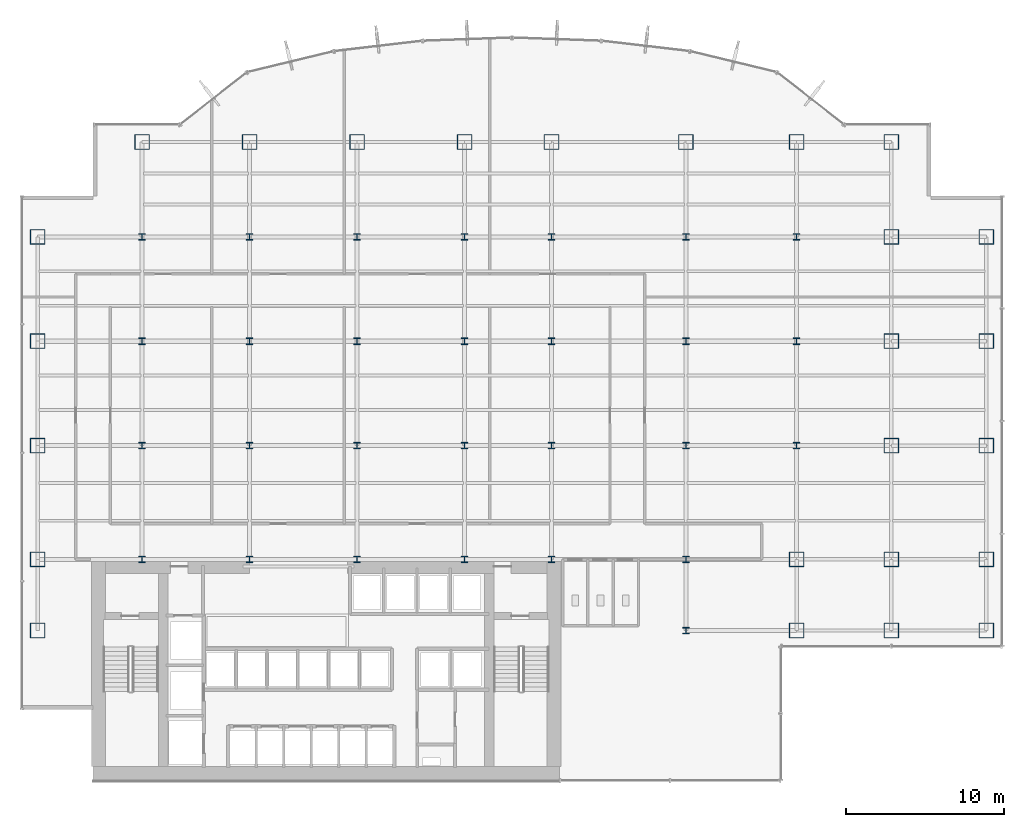
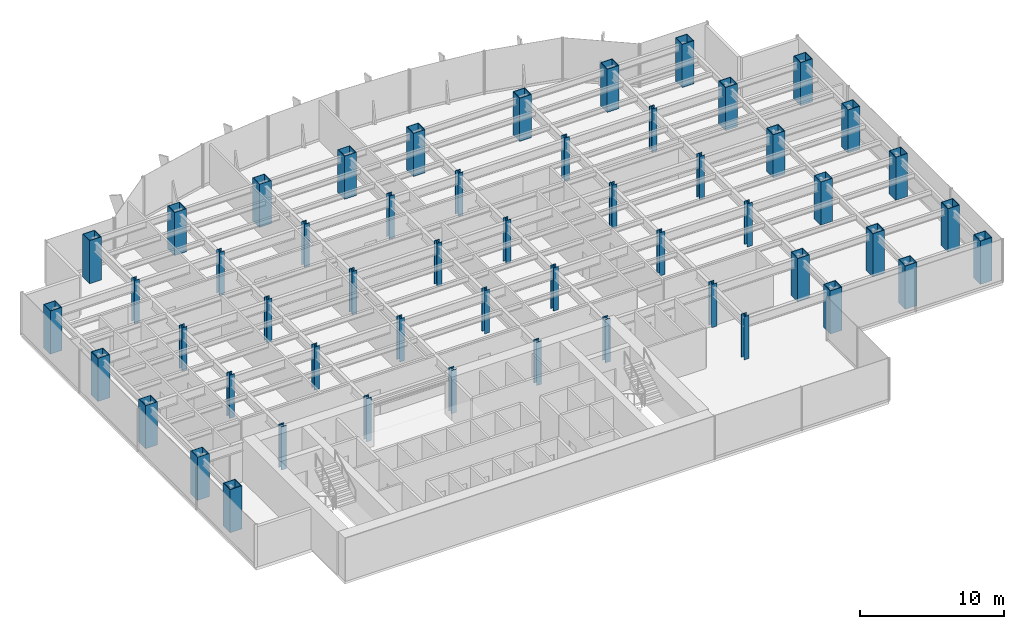
# One storey, part 1 of 22: 53 columns.
"""IFC4 building model written with IfcOpenShell, lengths in metres."""

from ifc_helpers import new_model, si_unit, derived_unit, direction, frame, origin, origin_2d, place, context, subcontext, project, spatial, hollow_rectangle, i_section, extrude, source, transform, mapped, material, material_profile, profile_set, type_object, element, save


model = new_model("IFC4")

# Units and contexts
model_context = context("Model", 3, precision=1e-05, world=origin(), true_north=direction((0.0, 1.0)))
body_context = subcontext(model_context, "Body", "Model", "MODEL_VIEW")
ifc_project = project(units=[si_unit("LENGTHUNIT", "METRE"), si_unit("AREAUNIT", "SQUARE_METRE"), si_unit("VOLUMEUNIT", "CUBIC_METRE"), si_unit("PLANEANGLEUNIT", "RADIAN"), si_unit("MASSUNIT", "GRAM", prefix="KILO"), derived_unit("THERMALTRANSMITTANCEUNIT", [(si_unit("POWERUNIT", "WATT"), 1), (si_unit("LENGTHUNIT", "METRE"), -2), (si_unit("THERMODYNAMICTEMPERATUREUNIT", "KELVIN"), -1)])], contexts=[model_context])

# Site, building, storey
site_placement = place(None, origin())
site = spatial("IfcSite", under=ifc_project, at=site_placement, CompositionType="ELEMENT")
building_placement = place(site_placement, origin())
building = spatial("IfcBuilding", under=site, at=building_placement, Name="Skarnbrae Concourse Arena and Tower", CompositionType="ELEMENT")
storey_placement = place(building_placement, frame((0.0, 0.0, 65.35009765625)))
storey = spatial("IfcBuildingStorey", under=building, at=storey_placement, Name="L15", CompositionType="ELEMENT", Elevation=65.35009765625)

# Columns
ifc_material = material(Name="Steel CSA G40.21 350W", Category="steel")
ifc_material_profile_1 = material_profile(ifc_material, hollow_rectangle(XDim=0.949951171875, YDim=0.949951171875, WallThickness=0.044921875, at=origin_2d()), Name="BOX950X950X45")
ifc_profile_set_1 = profile_set([ifc_material_profile_1], Name="Steel CSA G40.21 350W")
column_type_1 = type_object("IfcColumnType", Name="COL-TUBE-BOX950", PredefinedType="COLUMN", material=ifc_profile_set_1)
shared_shape_1 = source(origin(), body_context, "Body", "SweptSolid", [
    extrude(hollow_rectangle(XDim=0.949951171875, YDim=0.949951171875, WallThickness=0.044921875, at=origin_2d()), origin(), (0.0, 0.0, 1.0), 3.64990234375),
])
for number, where, z_axis, x_axis, name in (
    (1, (1.0, 9.5, 0.0), (0.0, 0.0, 1.0), (1.0, 0.0, 0.0), "L15 Tower column PC_01_01"),
    (2, (1.0, 14.0, 0.0), (0.0, 0.0, 1.0), (1.0, 0.0, 0.0), "L15 Tower column PC_01_02"),
    (3, (1.0, 21.199951171875, 0.0), (0.0, 0.0, 1.0), (1.0, 0.0, 0.0), "L15 Tower column PC_01_03"),
    (4, (1.0, 27.800048828125, 0.0), (0.0, 0.0, 1.0), (1.0, 0.0, 0.0), "L15 Tower column PC_01_04"),
    (5, (1.0, 34.39990234375, 0.0), (0.0, 0.0, 1.0), (1.0, 0.0, 0.0), "L15 Tower column PC_01_05"),
    (6, (7.60009765625, 40.39990234375, 0.0), (0.0, 0.0, 1.0), (1.0, 0.0, 0.0), "L15 Tower column PC_02_06"),
    (7, (14.39990234375, 40.39990234375, 0.0), (0.0, 0.0, 1.0), (1.0, 0.0, 0.0), "L15 Tower column PC_03_06"),
    (8, (21.199951171875, 40.39990234375, 0.0), (0.0, 0.0, 1.0), (1.0, 0.0, 0.0), "L15 Tower column PC_04_06"),
    (9, (28.0, 40.39990234375, 0.0), (0.0, 0.0, 1.0), (1.0, 0.0, 0.0), "L15 Tower column PC_05_06"),
    (10, (33.5, 40.39990234375, 0.0), (0.0, 0.0, 1.0), (1.0, 0.0, 0.0), "L15 Tower column PC_06_06"),
    (11, (42.0, 40.39990234375, 0.0), (0.0, 0.0, 1.0), (1.0, 0.0, 0.0), "L15 Tower column PC_07_06"),
    (12, (49.0, 9.5, 0.0), (0.0, 0.0, 1.0), (1.0, 0.0, 0.0), "L15 Tower column PC_08_01"),
    (13, (49.0, 14.0, 0.0), (0.0, 0.0, 1.0), (1.0, 0.0, 0.0), "L15 Tower column PC_08_02"),
    (14, (49.0, 40.39990234375, 0.0), (0.0, 0.0, 1.0), (1.0, 0.0, 0.0), "L15 Tower column PC_08_06"),
    (15, (55.0, 9.5, 0.0), (0.0, 0.0, 1.0), (1.0, 0.0, 0.0), "L15 Tower column PC_09_01"),
    (16, (55.0, 14.0, 0.0), (0.0, 0.0, 1.0), (1.0, 0.0, 0.0), "L15 Tower column PC_09_02"),
    (17, (55.0, 21.199951171875, 0.0), (0.0, 0.0, 1.0), (1.0, 0.0, 0.0), "L15 Tower column PC_09_03"),
    (18, (55.0, 27.800048828125, 0.0), (0.0, 0.0, 1.0), (1.0, 0.0, 0.0), "L15 Tower column PC_09_04"),
    (19, (55.0, 34.39990234375, 0.0), (0.0, 0.0, 1.0), (1.0, 0.0, 0.0), "L15 Tower column PC_09_05"),
    (20, (55.0, 40.39990234375, 0.0), (0.0, 0.0, 1.0), (1.0, 0.0, 0.0), "L15 Tower column PC_09_06"),
    (21, (61.0, 9.5, 0.0), (0.0, 0.0, 1.0), (1.0, 0.0, 0.0), "L15 Tower column PC_10_01"),
    (22, (61.0, 14.0, 0.0), (0.0, 0.0, 1.0), (1.0, 0.0, 0.0), "L15 Tower column PC_10_02"),
    (23, (61.0, 21.199951171875, 0.0), (0.0, 0.0, 1.0), (1.0, 0.0, 0.0), "L15 Tower column PC_10_03"),
    (24, (61.0, 27.800048828125, 0.0), (0.0, 0.0, 1.0), (1.0, 0.0, 0.0), "L15 Tower column PC_10_04"),
    (25, (61.0, 34.39990234375, 0.0), (0.0, 0.0, 1.0), (1.0, 0.0, 0.0), "L15 Tower column PC_10_05"),
):
    element("IfcColumn", number, at=place(storey_placement, frame(where, z_axis=z_axis, x_axis=x_axis)), inside=storey, type_object=column_type_1, Name=name, PredefinedType="COLUMN", context=body_context, shape_type="MappedRepresentation", body=[
        mapped(shared_shape_1, transform((0.0, 0.0, 0.0))),
    ])
ifc_material_profile_2 = material_profile(ifc_material, i_section(OverallWidth=0.406005859375, OverallDepth=0.416015625, WebThickness=0.02978515625, FlangeThickness=0.048095703125, at=origin_2d()), Name="W360X382")
ifc_profile_set_2 = profile_set([ifc_material_profile_2], Name="Steel CSA G40.21 350W")
column_type_2 = type_object("IfcColumnType", Name="COL-INT-W360X382", PredefinedType="COLUMN", material=ifc_profile_set_2)
shared_shape_2 = source(origin(), body_context, "Body", "SweptSolid", [
    extrude(i_section(OverallWidth=0.406005859375, OverallDepth=0.416015625, WebThickness=0.02978515625, FlangeThickness=0.048095703125, at=origin_2d()), origin(), (0.0, 0.0, 1.0), 3.64990234375),
])
for number, where, z_axis, x_axis, name in (
    (26, (7.60009765625, 14.0, 0.0), (0.0, 0.0, 1.0), (1.0, 0.0, 0.0), "L15 Tower column IC_02_02"),
    (27, (7.60009765625, 21.199951171875, 0.0), (0.0, 0.0, 1.0), (1.0, 0.0, 0.0), "L15 Tower column IC_02_03"),
    (28, (7.60009765625, 27.800048828125, 0.0), (0.0, 0.0, 1.0), (1.0, 0.0, 0.0), "L15 Tower column IC_02_04"),
    (29, (7.60009765625, 34.39990234375, 0.0), (0.0, 0.0, 1.0), (1.0, 0.0, 0.0), "L15 Tower column IC_02_05"),
    (30, (14.39990234375, 14.0, 0.0), (0.0, 0.0, 1.0), (1.0, 0.0, 0.0), "L15 Tower column IC_03_02"),
    (31, (14.39990234375, 21.199951171875, 0.0), (0.0, 0.0, 1.0), (1.0, 0.0, 0.0), "L15 Tower column IC_03_03"),
    (32, (14.39990234375, 27.800048828125, 0.0), (0.0, 0.0, 1.0), (1.0, 0.0, 0.0), "L15 Tower column IC_03_04"),
    (33, (14.39990234375, 34.39990234375, 0.0), (0.0, 0.0, 1.0), (1.0, 0.0, 0.0), "L15 Tower column IC_03_05"),
    (34, (21.199951171875, 14.0, 0.0), (0.0, 0.0, 1.0), (1.0, 0.0, 0.0), "L15 Tower column IC_04_02"),
    (35, (21.199951171875, 21.199951171875, 0.0), (0.0, 0.0, 1.0), (1.0, 0.0, 0.0), "L15 Tower column IC_04_03"),
    (36, (21.199951171875, 27.800048828125, 0.0), (0.0, 0.0, 1.0), (1.0, 0.0, 0.0), "L15 Tower column IC_04_04"),
    (37, (21.199951171875, 34.39990234375, 0.0), (0.0, 0.0, 1.0), (1.0, 0.0, 0.0), "L15 Tower column IC_04_05"),
    (38, (28.0, 14.0, 0.0), (0.0, 0.0, 1.0), (1.0, 0.0, 0.0), "L15 Tower column IC_05_02"),
    (39, (28.0, 21.199951171875, 0.0), (0.0, 0.0, 1.0), (1.0, 0.0, 0.0), "L15 Tower column IC_05_03"),
    (40, (28.0, 27.800048828125, 0.0), (0.0, 0.0, 1.0), (1.0, 0.0, 0.0), "L15 Tower column IC_05_04"),
    (41, (28.0, 34.39990234375, 0.0), (0.0, 0.0, 1.0), (1.0, 0.0, 0.0), "L15 Tower column IC_05_05"),
    (42, (33.5, 14.0, 0.0), (0.0, 0.0, 1.0), (1.0, 0.0, 0.0), "L15 Tower column IC_06_02"),
    (43, (33.5, 21.199951171875, 0.0), (0.0, 0.0, 1.0), (1.0, 0.0, 0.0), "L15 Tower column IC_06_03"),
    (44, (33.5, 27.800048828125, 0.0), (0.0, 0.0, 1.0), (1.0, 0.0, 0.0), "L15 Tower column IC_06_04"),
    (45, (33.5, 34.39990234375, 0.0), (0.0, 0.0, 1.0), (1.0, 0.0, 0.0), "L15 Tower column IC_06_05"),
    (46, (42.0, 9.5, 0.0), (0.0, 0.0, 1.0), (1.0, 0.0, 0.0), "L15 Tower column IC_07_01"),
    (47, (42.0, 14.0, 0.0), (0.0, 0.0, 1.0), (1.0, 0.0, 0.0), "L15 Tower column IC_07_02"),
    (48, (42.0, 21.199951171875, 0.0), (0.0, 0.0, 1.0), (1.0, 0.0, 0.0), "L15 Tower column IC_07_03"),
    (49, (42.0, 27.800048828125, 0.0), (0.0, 0.0, 1.0), (1.0, 0.0, 0.0), "L15 Tower column IC_07_04"),
    (50, (42.0, 34.39990234375, 0.0), (0.0, 0.0, 1.0), (1.0, 0.0, 0.0), "L15 Tower column IC_07_05"),
    (51, (49.0, 21.199951171875, 0.0), (0.0, 0.0, 1.0), (1.0, 0.0, 0.0), "L15 Tower column IC_08_03"),
    (52, (49.0, 27.800048828125, 0.0), (0.0, 0.0, 1.0), (1.0, 0.0, 0.0), "L15 Tower column IC_08_04"),
    (53, (49.0, 34.39990234375, 0.0), (0.0, 0.0, 1.0), (1.0, 0.0, 0.0), "L15 Tower column IC_08_05"),
):
    element("IfcColumn", number, at=place(storey_placement, frame(where, z_axis=z_axis, x_axis=x_axis)), inside=storey, type_object=column_type_2, Name=name, PredefinedType="COLUMN", context=body_context, shape_type="MappedRepresentation", body=[
        mapped(shared_shape_2, transform((0.0, 0.0, 0.0))),
    ])

save(model, "model.ifc")
